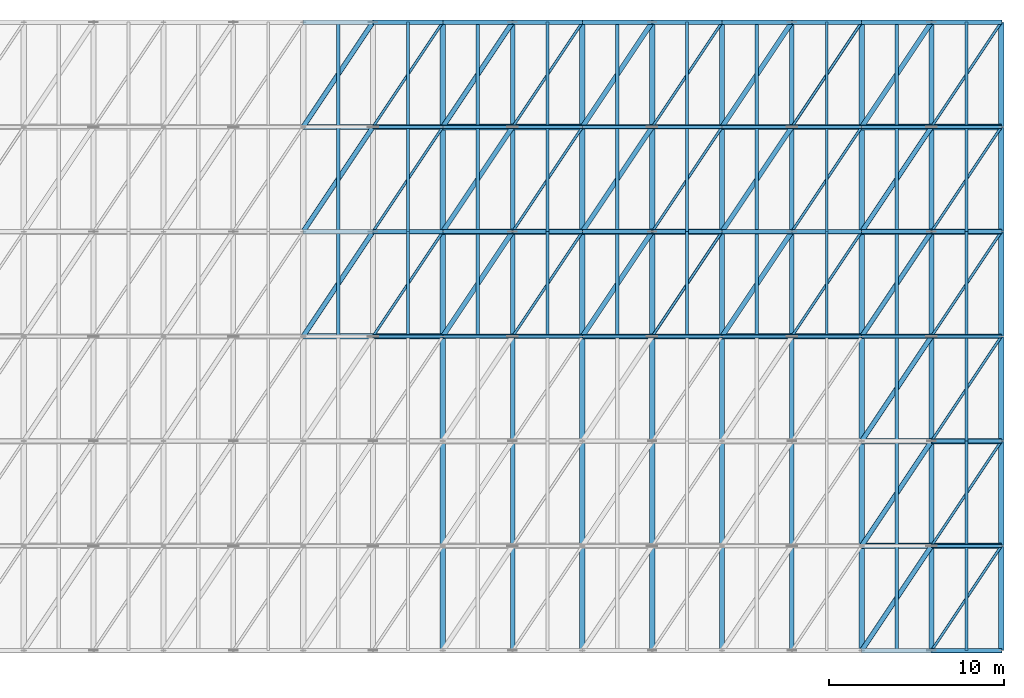
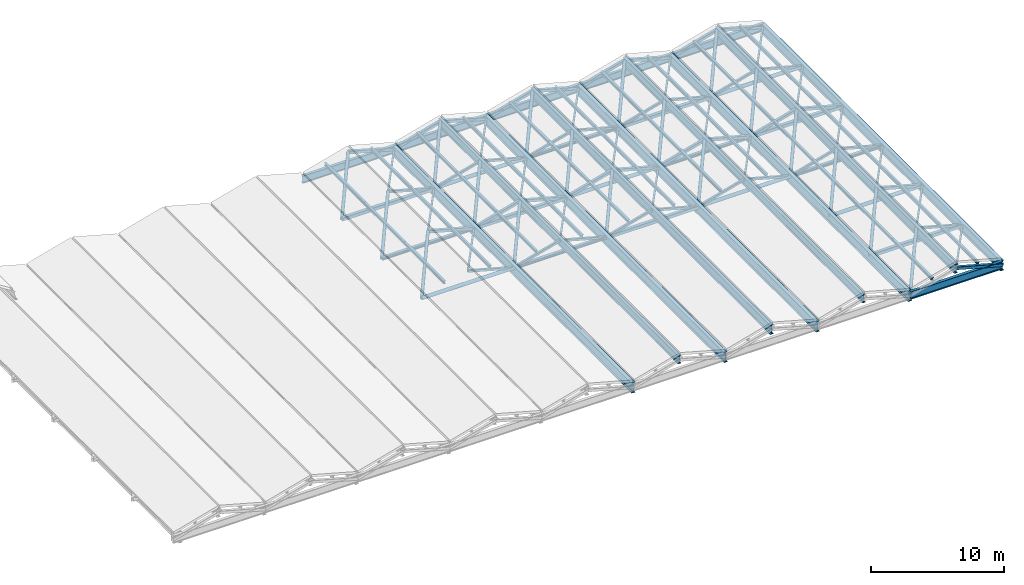
# One storey, part 6 of 27: 128 members, 15 beams.
"""IFC4 building model written with IfcOpenShell, lengths in metres."""

from ifc_helpers import new_model, si_unit, direction, frame, origin, origin_2d, place, context, subcontext, project, spatial, hollow_rectangle, hollow_circle, i_section, extrude, material, material_profile, profile_set, type_object, element, save


model = new_model("IFC4")

# Units and contexts
model_context = context("Model", 3, precision=1e-05, world=origin(), true_north=direction((0.0, 1.0)))
body_context = subcontext(model_context, "Body", "Model", "MODEL_VIEW")
ifc_project = project(units=[si_unit("LENGTHUNIT", "METRE"), si_unit("AREAUNIT", "SQUARE_METRE"), si_unit("VOLUMEUNIT", "CUBIC_METRE"), si_unit("PLANEANGLEUNIT", "RADIAN"), si_unit("MASSUNIT", "GRAM", prefix="KILO")], contexts=[model_context])

# Site, building, storey
site_placement = place(None, origin())
site = spatial("IfcSite", under=ifc_project, at=site_placement, CompositionType="ELEMENT")
building_placement = place(site_placement, origin())
building = spatial("IfcBuilding", under=site, at=building_placement, Name="Verrall Gate Interchange", CompositionType="ELEMENT")
storey_placement = place(building_placement, frame((0.0, 0.0, 32.800048828125)))
storey = spatial("IfcBuildingStorey", under=building, at=storey_placement, Name="RF", CompositionType="ELEMENT", Elevation=32.800048828125)

# Beams
ifc_material_1 = material(Name="Structural Steel CSA G40.21 350WT Cat 4", Category="steel")
ifc_material_profile_1 = material_profile(ifc_material_1, i_section(OverallWidth=0.30810546875, OverallDepth=0.927001953125, WebThickness=0.019287109375, FlangeThickness=0.03173828125, FilletRadius=0.02197265625, at=origin_2d()), Name="W920x345")
ifc_profile_set_1 = profile_set([ifc_material_profile_1], Name="Structural Steel CSA G40.21 350WT Cat 4")
beam_type_1 = type_object("IfcBeamType", Name="B-04 Structural Beam W920x345", PredefinedType="BEAM", material=ifc_profile_set_1)
for number, where, z_axis, x_axis, name in (
    (1, (76.0, 12.0, -16.921630859375), (0.0, 1.0, 0.0), (-1.0, 0.0, 0.0), "Folded-Plate Valley Girder X=76"),
    (2, (84.0, 12.0, -16.921630859375), (0.0, 1.0, 0.0), (-1.0, 0.0, 0.0), "Folded-Plate Valley Girder X=84"),
    (3, (92.0, 12.0, -16.921630859375), (0.0, 1.0, 0.0), (-1.0, 0.0, 0.0), "Folded-Plate Valley Girder X=92"),
    (4, (100.0, 12.0, -16.921630859375), (0.0, 1.0, 0.0), (-1.0, 0.0, 0.0), "Folded-Plate Valley Girder X=100"),
    (5, (108.0, 12.0, -16.921630859375), (0.0, 1.0, 0.0), (-1.0, 0.0, 0.0), "Folded-Plate Valley Girder X=108"),
):
    element("IfcBeam", number, at=place(storey_placement, frame(where, z_axis=z_axis, x_axis=x_axis)), inside=storey, type_object=beam_type_1, Name=name, PredefinedType="BEAM", context=body_context, shape_type="SweptSolid", body=[
        extrude(i_section(OverallWidth=0.30810546875, OverallDepth=0.927001953125, WebThickness=0.019287109375, FlangeThickness=0.03173828125, FilletRadius=0.02197265625, at=origin_2d()), origin(), (0.0, 0.0, 1.0), 36.0),
    ])
ifc_material_2 = material(Name="Structural Steel CSA G40.21 350WT Cat 4", Category="steel")
ifc_material_profile_2 = material_profile(ifc_material_2, i_section(OverallWidth=0.2919921875, OverallDepth=0.85498046875, WebThickness=0.018310546875, FlangeThickness=0.029296875, FilletRadius=0.02001953125, at=origin_2d()), Name="W840x299")
ifc_profile_set_2 = profile_set([ifc_material_profile_2], Name="Structural Steel CSA G40.21 350WT Cat 4")
beam_type_2 = type_object("IfcBeamType", Name="B-05 Structural Beam W840x299", PredefinedType="BEAM", material=ifc_profile_set_2)
for number, where, z_axis, x_axis, name in (
    (6, (88.0, 12.0, -15.78564453125), (0.0, 1.0, 0.0), (-1.0, 0.0, 0.0), "Folded-Plate Ridge Girder 07"),
    (7, (104.0, 12.0, -15.78564453125), (0.0, 1.0, 0.0), (-1.0, 0.0, 0.0), "Folded-Plate Ridge Girder 09"),
):
    element("IfcBeam", number, at=place(storey_placement, frame(where, z_axis=z_axis, x_axis=x_axis)), inside=storey, type_object=beam_type_2, Name=name, PredefinedType="BEAM", context=body_context, shape_type="SweptSolid", body=[
        extrude(i_section(OverallWidth=0.2919921875, OverallDepth=0.85498046875, WebThickness=0.018310546875, FlangeThickness=0.029296875, FilletRadius=0.02001953125, at=origin_2d()), origin(), (0.0, 0.0, 1.0), 36.0),
    ])
ifc_material_3 = material(Name="Structural Steel CSA G40.21 350WT Cat 4", Category="steel")
ifc_material_profile_3 = material_profile(ifc_material_3, i_section(OverallWidth=0.26611328125, OverallDepth=0.760009765625, WebThickness=0.015625, FlangeThickness=0.023681640625, FilletRadius=0.01806640625, at=origin_2d()), Name="W760x220")
ifc_profile_set_3 = profile_set([ifc_material_profile_3], Name="Structural Steel CSA G40.21 350WT Cat 4")
beam_type_3 = type_object("IfcBeamType", Name="B-06 Structural Beam W760x220", PredefinedType="BEAM", material=ifc_profile_set_3)
for number, where, z_axis, x_axis, name in (
    (8, (80.0, 12.0, -15.73828125), (0.0, 1.0, 0.0), (-1.0, 0.0, 0.0), "Folded-Plate Ridge Girder 06"),
    (9, (96.0, 12.0, -15.73828125), (0.0, 1.0, 0.0), (-1.0, 0.0, 0.0), "Folded-Plate Ridge Girder 08"),
):
    element("IfcBeam", number, at=place(storey_placement, frame(where, z_axis=z_axis, x_axis=x_axis)), inside=storey, type_object=beam_type_3, Name=name, PredefinedType="BEAM", context=body_context, shape_type="SweptSolid", body=[
        extrude(i_section(OverallWidth=0.26611328125, OverallDepth=0.760009765625, WebThickness=0.015625, FlangeThickness=0.023681640625, FilletRadius=0.01806640625, at=origin_2d()), origin(), (0.0, 0.0, 1.0), 36.0),
    ])
ifc_material_4 = material(Name="Structural Steel CSA G40.21 350WT Cat 4", Category="steel")
ifc_material_profile_4 = material_profile(ifc_material_4, i_section(OverallWidth=0.256103515625, OverallDepth=0.693115234375, WebThickness=0.01318359375, FlangeThickness=0.02001953125, FilletRadius=0.01611328125, at=origin_2d()), Name="W690x170")
ifc_profile_set_4 = profile_set([ifc_material_profile_4], Name="Structural Steel CSA G40.21 350WT Cat 4")
beam_type_4 = type_object("IfcBeamType", Name="B-07 Structural Beam W690x170", PredefinedType="BEAM", material=ifc_profile_set_4)
for number, where, z_axis, x_axis, name in (
    (10, (68.0, 48.0, -16.8046875), (1.0, 0.0, 0.0), (0.0, 1.0, 0.0), "Concourse Roof End Tie Girder 05"),
    (11, (76.0, 48.0, -16.8046875), (1.0, 0.0, 0.0), (0.0, 1.0, 0.0), "Concourse Roof End Tie Girder 06"),
    (12, (84.0, 48.0, -16.8046875), (1.0, 0.0, 0.0), (0.0, 1.0, 0.0), "Concourse Roof End Tie Girder 07"),
    (13, (92.0, 48.0, -16.8046875), (1.0, 0.0, 0.0), (0.0, 1.0, 0.0), "Concourse Roof End Tie Girder 08"),
    (14, (100.0, 12.0, -16.8046875), (1.0, 0.0, 0.0), (0.0, 1.0, 0.0), "Concourse Roof End Tie Girder 09"),
    (15, (100.0, 48.0, -16.8046875), (1.0, 0.0, 0.0), (0.0, 1.0, 0.0), "Concourse Roof End Tie Girder 09"),
):
    element("IfcBeam", number, at=place(storey_placement, frame(where, z_axis=z_axis, x_axis=x_axis)), inside=storey, type_object=beam_type_4, Name=name, PredefinedType="BEAM", context=body_context, shape_type="SweptSolid", body=[
        extrude(i_section(OverallWidth=0.256103515625, OverallDepth=0.693115234375, WebThickness=0.01318359375, FlangeThickness=0.02001953125, FilletRadius=0.01611328125, at=origin_2d()), origin(), (0.0, 0.0, 1.0), 8.0),
    ])

# Members
ifc_material_5 = material(Name="Structural Steel CSA G40.21 350WT Cat 4", Category="steel")
ifc_material_profile_5 = material_profile(ifc_material_5, hollow_circle(Radius=0.136474609375, WallThickness=0.009521484375, at=origin_2d()), Name="HSS273x9.5")
ifc_profile_set_5 = profile_set([ifc_material_profile_5], Name="Structural Steel CSA G40.21 350WT Cat 4")
member_type_1 = type_object("IfcMemberType", Name="BR-01 Diagonal Brace HSS273x9.5", PredefinedType="BRACE", material=ifc_profile_set_5)
for number, where, z_axis, x_axis, name in (
    (16, (68.0, 30.0, -16.808349609375), (0.548355855136, 0.822533782704, 0.150811247756), (-0.832050294338, 0.554700196225, 0.0), "Folded-Plate Space Truss Diagonal W 5.3"),
    (17, (68.0, 36.0, -16.808349609375), (0.548355855136, 0.822533782704, 0.150811247756), (-0.832050294338, 0.554700196225, 0.0), "Folded-Plate Space Truss Diagonal W 5.4"),
    (18, (68.0, 42.0, -16.808349609375), (0.548355855136, 0.822533782704, 0.150811247756), (-0.832050294338, 0.554700196225, 0.0), "Folded-Plate Space Truss Diagonal W 5.5"),
    (19, (76.0, 30.0, -16.808349609375), (0.548355855136, 0.822533782704, 0.150811247756), (-0.832050294338, 0.554700196225, 0.0), "Folded-Plate Space Truss Diagonal W 6.3"),
    (20, (76.0, 36.0, -16.808349609375), (0.548355855136, 0.822533782704, 0.150811247756), (-0.832050294338, 0.554700196225, 0.0), "Folded-Plate Space Truss Diagonal W 6.4"),
    (21, (76.0, 42.0, -16.808349609375), (0.548355855136, 0.822533782704, 0.150811247756), (-0.832050294338, 0.554700196225, 0.0), "Folded-Plate Space Truss Diagonal W 6.5"),
    (22, (84.0, 30.0, -16.808349609375), (0.548355855136, 0.822533782704, 0.150811247756), (-0.832050294338, 0.554700196225, 0.0), "Folded-Plate Space Truss Diagonal W 7.3"),
    (23, (84.0, 36.0, -16.808349609375), (0.548355855136, 0.822533782704, 0.150811247756), (-0.832050294338, 0.554700196225, 0.0), "Folded-Plate Space Truss Diagonal W 7.4"),
    (24, (84.0, 42.0, -16.808349609375), (0.548355855136, 0.822533782704, 0.150811247756), (-0.832050294338, 0.554700196225, 0.0), "Folded-Plate Space Truss Diagonal W 7.5"),
    (25, (92.0, 30.0, -16.808349609375), (0.548355855136, 0.822533782704, 0.150811247756), (-0.832050294338, 0.554700196225, 0.0), "Folded-Plate Space Truss Diagonal W 8.3"),
    (26, (92.0, 36.0, -16.808349609375), (0.548355855136, 0.822533782704, 0.150811247756), (-0.832050294338, 0.554700196225, 0.0), "Folded-Plate Space Truss Diagonal W 8.4"),
    (27, (92.0, 42.0, -16.808349609375), (0.548355855136, 0.822533782704, 0.150811247756), (-0.832050294338, 0.554700196225, 0.0), "Folded-Plate Space Truss Diagonal W 8.5"),
    (28, (100.0, 12.0, -16.808349609375), (0.548355855136, 0.822533782704, 0.150811247756), (-0.832050294338, 0.554700196225, 0.0), "Folded-Plate Space Truss Diagonal W 9.0"),
    (29, (100.0, 18.0, -16.808349609375), (0.548355855136, 0.822533782704, 0.150811247756), (-0.832050294338, 0.554700196225, 0.0), "Folded-Plate Space Truss Diagonal W 9.1"),
    (30, (100.0, 24.0, -16.808349609375), (0.548355855136, 0.822533782704, 0.150811247756), (-0.832050294338, 0.554700196225, 0.0), "Folded-Plate Space Truss Diagonal W 9.2"),
    (31, (100.0, 30.0, -16.808349609375), (0.548355855136, 0.822533782704, 0.150811247756), (-0.832050294338, 0.554700196225, 0.0), "Folded-Plate Space Truss Diagonal W 9.3"),
    (32, (100.0, 36.0, -16.808349609375), (0.548355855136, 0.822533782704, 0.150811247756), (-0.832050294338, 0.554700196225, 0.0), "Folded-Plate Space Truss Diagonal W 9.4"),
    (33, (100.0, 42.0, -16.808349609375), (0.548355855136, 0.822533782704, 0.150811247756), (-0.832050294338, 0.554700196225, 0.0), "Folded-Plate Space Truss Diagonal W 9.5"),
):
    element("IfcMember", number, at=place(storey_placement, frame(where, z_axis=z_axis, x_axis=x_axis)), inside=storey, type_object=member_type_1, Name=name, PredefinedType="BRACE", context=body_context, shape_type="SweptSolid", body=[
        extrude(hollow_circle(Radius=0.136474609375, WallThickness=0.009521484375, at=origin_2d()), origin(), (0.0, 0.0, 1.0), 7.29443359375),
    ])
ifc_material_6 = material(Name="Structural Steel CSA G40.21 350WT Cat 4", Category="steel")
ifc_material_profile_6 = material_profile(ifc_material_6, hollow_rectangle(XDim=0.152099609375, YDim=0.152099609375, WallThickness=0.008056640625, InnerFilletRadius=0.008056640625, OuterFilletRadius=0.015869140625, at=origin_2d()), Name="HSS152x152x8.0")
ifc_profile_set_6 = profile_set([ifc_material_profile_6], Name="Structural Steel CSA G40.21 350WT Cat 4")
member_type_2 = type_object("IfcMemberType", Name="BR-04 Diagonal Brace HSS152x152x8.0", PredefinedType="BRACE", material=ifc_profile_set_6)
for number, where, z_axis, x_axis, name in (
    (34, (72.0, 30.0, -15.708251953125), (0.548355855136, 0.822533782704, -0.150811247756), (-0.832050294338, 0.554700196225, 0.0), "Folded-Plate Space Truss Diagonal E 5.3"),
    (35, (72.0, 36.0, -15.708251953125), (0.548355855136, 0.822533782704, -0.150811247756), (-0.832050294338, 0.554700196225, 0.0), "Folded-Plate Space Truss Diagonal E 5.4"),
    (36, (72.0, 42.0, -15.708251953125), (0.548355855136, 0.822533782704, -0.150811247756), (-0.832050294338, 0.554700196225, 0.0), "Folded-Plate Space Truss Diagonal E 5.5"),
    (37, (80.0, 30.0, -15.708251953125), (0.548355855136, 0.822533782704, -0.150811247756), (-0.832050294338, 0.554700196225, 0.0), "Folded-Plate Space Truss Diagonal E 6.3"),
    (38, (80.0, 36.0, -15.708251953125), (0.548355855136, 0.822533782704, -0.150811247756), (-0.832050294338, 0.554700196225, 0.0), "Folded-Plate Space Truss Diagonal E 6.4"),
    (39, (80.0, 42.0, -15.708251953125), (0.548355855136, 0.822533782704, -0.150811247756), (-0.832050294338, 0.554700196225, 0.0), "Folded-Plate Space Truss Diagonal E 6.5"),
    (40, (88.0, 30.0, -15.708251953125), (0.548355855136, 0.822533782704, -0.150811247756), (-0.832050294338, 0.554700196225, 0.0), "Folded-Plate Space Truss Diagonal E 7.3"),
    (41, (88.0, 36.0, -15.708251953125), (0.548355855136, 0.822533782704, -0.150811247756), (-0.832050294338, 0.554700196225, 0.0), "Folded-Plate Space Truss Diagonal E 7.4"),
    (42, (88.0, 42.0, -15.708251953125), (0.548355855136, 0.822533782704, -0.150811247756), (-0.832050294338, 0.554700196225, 0.0), "Folded-Plate Space Truss Diagonal E 7.5"),
    (43, (96.0, 30.0, -15.708251953125), (0.548355855136, 0.822533782704, -0.150811247756), (-0.832050294338, 0.554700196225, 0.0), "Folded-Plate Space Truss Diagonal E 8.3"),
    (44, (96.0, 36.0, -15.708251953125), (0.548355855136, 0.822533782704, -0.150811247756), (-0.832050294338, 0.554700196225, 0.0), "Folded-Plate Space Truss Diagonal E 8.4"),
    (45, (96.0, 42.0, -15.708251953125), (0.548355855136, 0.822533782704, -0.150811247756), (-0.832050294338, 0.554700196225, 0.0), "Folded-Plate Space Truss Diagonal E 8.5"),
    (46, (104.0, 12.0, -15.708251953125), (0.548355855136, 0.822533782704, -0.150811247756), (-0.832050294338, 0.554700196225, 0.0), "Folded-Plate Space Truss Diagonal E 9.0"),
    (47, (104.0, 18.0, -15.708251953125), (0.548355855136, 0.822533782704, -0.150811247756), (-0.832050294338, 0.554700196225, 0.0), "Folded-Plate Space Truss Diagonal E 9.1"),
    (48, (104.0, 24.0, -15.708251953125), (0.548355855136, 0.822533782704, -0.150811247756), (-0.832050294338, 0.554700196225, 0.0), "Folded-Plate Space Truss Diagonal E 9.2"),
    (49, (104.0, 30.0, -15.708251953125), (0.548355855136, 0.822533782704, -0.150811247756), (-0.832050294338, 0.554700196225, 0.0), "Folded-Plate Space Truss Diagonal E 9.3"),
    (50, (104.0, 36.0, -15.708251953125), (0.548355855136, 0.822533782704, -0.150811247756), (-0.832050294338, 0.554700196225, 0.0), "Folded-Plate Space Truss Diagonal E 9.4"),
    (51, (104.0, 42.0, -15.708251953125), (0.548355855136, 0.822533782704, -0.150811247756), (-0.832050294338, 0.554700196225, 0.0), "Folded-Plate Space Truss Diagonal E 9.5"),
):
    element("IfcMember", number, at=place(storey_placement, frame(where, z_axis=z_axis, x_axis=x_axis)), inside=storey, type_object=member_type_2, Name=name, PredefinedType="BRACE", context=body_context, shape_type="SweptSolid", body=[
        extrude(hollow_rectangle(XDim=0.152099609375, YDim=0.152099609375, WallThickness=0.008056640625, InnerFilletRadius=0.008056640625, OuterFilletRadius=0.015869140625, at=origin_2d()), origin(), (0.0, 0.0, 1.0), 7.29443359375),
    ])
ifc_material_7 = material(Name="Structural Steel CSA G40.21 350WT Cat 4", Category="steel")
ifc_material_profile_7 = material_profile(ifc_material_7, hollow_rectangle(XDim=0.304931640625, YDim=0.304931640625, WallThickness=0.0126953125, InnerFilletRadius=0.0126953125, OuterFilletRadius=0.025390625, at=origin_2d()), Name="HSS305x305x13")
ifc_profile_set_7 = profile_set([ifc_material_profile_7], Name="Structural Steel CSA G40.21 350WT Cat 4")
member_type_3 = type_object("IfcMemberType", Name="CH-01 Truss Chord HSS305x305x13", PredefinedType="CHORD", material=ifc_profile_set_7)
for number, where, z_axis, x_axis, name in (
    (52, (68.0, 42.0, -16.808349609375), (1.0, 0.0, 0.0), (0.0, 1.0, 0.0), "Concourse Fold Bottom Chord 5.5"),
    (53, (76.0, 36.0, -16.808349609375), (1.0, 0.0, 0.0), (0.0, 1.0, 0.0), "Concourse Fold Bottom Chord 6.4"),
    (54, (84.0, 30.0, -16.808349609375), (1.0, 0.0, 0.0), (0.0, 1.0, 0.0), "Concourse Fold Bottom Chord 7.3"),
    (55, (92.0, 42.0, -16.808349609375), (1.0, 0.0, 0.0), (0.0, 1.0, 0.0), "Concourse Fold Bottom Chord 8.5"),
    (56, (100.0, 18.0, -16.808349609375), (1.0, 0.0, 0.0), (0.0, 1.0, 0.0), "Concourse Fold Bottom Chord 9.1"),
    (57, (100.0, 36.0, -16.808349609375), (1.0, 0.0, 0.0), (0.0, 1.0, 0.0), "Concourse Fold Bottom Chord 9.4"),
):
    element("IfcMember", number, at=place(storey_placement, frame(where, z_axis=z_axis, x_axis=x_axis)), inside=storey, type_object=member_type_3, Name=name, PredefinedType="CHORD", context=body_context, shape_type="SweptSolid", body=[
        extrude(hollow_rectangle(XDim=0.304931640625, YDim=0.304931640625, WallThickness=0.0126953125, InnerFilletRadius=0.0126953125, OuterFilletRadius=0.025390625, at=origin_2d()), origin(), (0.0, 0.0, 1.0), 8.0),
    ])
ifc_material_8 = material(Name="Structural Steel CSA G40.21 350WT Cat 4", Category="steel")
ifc_material_profile_8 = material_profile(ifc_material_8, hollow_circle(Radius=0.161865234375, WallThickness=0.0126953125, at=origin_2d()), Name="HSS324x13")
ifc_profile_set_8 = profile_set([ifc_material_profile_8], Name="Structural Steel CSA G40.21 350WT Cat 4")
member_type_4 = type_object("IfcMemberType", Name="CH-02 Truss Chord HSS324x13", PredefinedType="CHORD", material=ifc_profile_set_8)
for number, where, z_axis, x_axis, name in (
    (58, (68.0, 30.0, -16.808349609375), (1.0, 0.0, 0.0), (0.0, 1.0, 0.0), "Concourse Fold Bottom Chord 5.3"),
    (59, (76.0, 42.0, -16.808349609375), (1.0, 0.0, 0.0), (0.0, 1.0, 0.0), "Concourse Fold Bottom Chord 6.5"),
    (60, (84.0, 36.0, -16.808349609375), (1.0, 0.0, 0.0), (0.0, 1.0, 0.0), "Concourse Fold Bottom Chord 7.4"),
    (61, (92.0, 30.0, -16.808349609375), (1.0, 0.0, 0.0), (0.0, 1.0, 0.0), "Concourse Fold Bottom Chord 8.3"),
    (62, (100.0, 24.0, -16.808349609375), (1.0, 0.0, 0.0), (0.0, 1.0, 0.0), "Concourse Fold Bottom Chord 9.2"),
    (63, (100.0, 42.0, -16.808349609375), (1.0, 0.0, 0.0), (0.0, 1.0, 0.0), "Concourse Fold Bottom Chord 9.5"),
):
    element("IfcMember", number, at=place(storey_placement, frame(where, z_axis=z_axis, x_axis=x_axis)), inside=storey, type_object=member_type_4, Name=name, PredefinedType="CHORD", context=body_context, shape_type="SweptSolid", body=[
        extrude(hollow_circle(Radius=0.161865234375, WallThickness=0.0126953125, at=origin_2d()), origin(), (0.0, 0.0, 1.0), 8.0),
    ])
ifc_material_9 = material(Name="Structural Steel CSA G40.21 350WT Cat 4", Category="steel")
ifc_material_profile_9 = material_profile(ifc_material_9, i_section(OverallWidth=0.25390625, OverallDepth=0.2529296875, WebThickness=0.008544921875, FlangeThickness=0.01416015625, FilletRadius=0.011962890625, at=origin_2d()), Name="W250x73")
ifc_profile_set_9 = profile_set([ifc_material_profile_9], Name="Structural Steel CSA G40.21 350WT Cat 4")
member_type_5 = type_object("IfcMemberType", Name="CH-03 Truss Chord W250x73", PredefinedType="CHORD", material=ifc_profile_set_9)
for number, where, z_axis, x_axis, name in (
    (64, (68.0, 36.0, -16.808349609375), (1.0, 0.0, 0.0), (0.0, 1.0, 0.0), "Concourse Fold Bottom Chord 5.4"),
    (65, (76.0, 30.0, -16.808349609375), (1.0, 0.0, 0.0), (0.0, 1.0, 0.0), "Concourse Fold Bottom Chord 6.3"),
    (66, (84.0, 42.0, -16.808349609375), (1.0, 0.0, 0.0), (0.0, 1.0, 0.0), "Concourse Fold Bottom Chord 7.5"),
    (67, (92.0, 36.0, -16.808349609375), (1.0, 0.0, 0.0), (0.0, 1.0, 0.0), "Concourse Fold Bottom Chord 8.4"),
    (68, (100.0, 30.0, -16.808349609375), (1.0, 0.0, 0.0), (0.0, 1.0, 0.0), "Concourse Fold Bottom Chord 9.3"),
):
    element("IfcMember", number, at=place(storey_placement, frame(where, z_axis=z_axis, x_axis=x_axis)), inside=storey, type_object=member_type_5, Name=name, PredefinedType="CHORD", context=body_context, shape_type="SweptSolid", body=[
        extrude(i_section(OverallWidth=0.25390625, OverallDepth=0.2529296875, WebThickness=0.008544921875, FlangeThickness=0.01416015625, FilletRadius=0.011962890625, at=origin_2d()), origin(), (0.0, 0.0, 1.0), 8.0),
    ])
ifc_material_10 = material(Name="Structural Steel CSA G40.21 350WT Cat 4", Category="steel")
ifc_material_profile_10 = material_profile(ifc_material_10, i_section(OverallWidth=0.201904296875, OverallDepth=0.2470703125, WebThickness=0.00732421875, FlangeThickness=0.010986328125, FilletRadius=0.010986328125, at=origin_2d()), Name="W250x49")
ifc_profile_set_10 = profile_set([ifc_material_profile_10], Name="Structural Steel CSA G40.21 350WT Cat 4")
member_type_6 = type_object("IfcMemberType", Name="PR-01 Roof Purlin W250x49", PredefinedType="PURLIN", material=ifc_profile_set_10)
for number, where, z_axis, x_axis, name in (
    (69, (70.0, 30.0, -16.068359375), (0.0, 1.0, 0.0), (-1.0, 0.0, 0.0), "Concourse Roof Purlin W 5.3"),
    (70, (70.0, 36.0, -16.068359375), (0.0, 1.0, 0.0), (-1.0, 0.0, 0.0), "Concourse Roof Purlin W 5.4"),
    (71, (70.0, 42.0, -16.068359375), (0.0, 1.0, 0.0), (-1.0, 0.0, 0.0), "Concourse Roof Purlin W 5.5"),
    (72, (78.0, 30.0, -16.068359375), (0.0, 1.0, 0.0), (-1.0, 0.0, 0.0), "Concourse Roof Purlin W 6.3"),
    (73, (78.0, 36.0, -16.068359375), (0.0, 1.0, 0.0), (-1.0, 0.0, 0.0), "Concourse Roof Purlin W 6.4"),
    (74, (78.0, 42.0, -16.068359375), (0.0, 1.0, 0.0), (-1.0, 0.0, 0.0), "Concourse Roof Purlin W 6.5"),
    (75, (86.0, 30.0, -16.068359375), (0.0, 1.0, 0.0), (-1.0, 0.0, 0.0), "Concourse Roof Purlin W 7.3"),
    (76, (86.0, 36.0, -16.068359375), (0.0, 1.0, 0.0), (-1.0, 0.0, 0.0), "Concourse Roof Purlin W 7.4"),
    (77, (86.0, 42.0, -16.068359375), (0.0, 1.0, 0.0), (-1.0, 0.0, 0.0), "Concourse Roof Purlin W 7.5"),
    (78, (94.0, 30.0, -16.068359375), (0.0, 1.0, 0.0), (-1.0, 0.0, 0.0), "Concourse Roof Purlin W 8.3"),
    (79, (94.0, 36.0, -16.068359375), (0.0, 1.0, 0.0), (-1.0, 0.0, 0.0), "Concourse Roof Purlin W 8.4"),
    (80, (94.0, 42.0, -16.068359375), (0.0, 1.0, 0.0), (-1.0, 0.0, 0.0), "Concourse Roof Purlin W 8.5"),
    (81, (102.0, 12.0, -16.068359375), (0.0, 1.0, 0.0), (-1.0, 0.0, 0.0), "Concourse Roof Purlin W 9.0"),
    (82, (102.0, 18.0, -16.068359375), (0.0, 1.0, 0.0), (-1.0, 0.0, 0.0), "Concourse Roof Purlin W 9.1"),
    (83, (102.0, 24.0, -16.068359375), (0.0, 1.0, 0.0), (-1.0, 0.0, 0.0), "Concourse Roof Purlin W 9.2"),
    (84, (102.0, 30.0, -16.068359375), (0.0, 1.0, 0.0), (-1.0, 0.0, 0.0), "Concourse Roof Purlin W 9.3"),
    (85, (102.0, 36.0, -16.068359375), (0.0, 1.0, 0.0), (-1.0, 0.0, 0.0), "Concourse Roof Purlin W 9.4"),
    (86, (102.0, 42.0, -16.068359375), (0.0, 1.0, 0.0), (-1.0, 0.0, 0.0), "Concourse Roof Purlin W 9.5"),
):
    element("IfcMember", number, at=place(storey_placement, frame(where, z_axis=z_axis, x_axis=x_axis)), inside=storey, type_object=member_type_6, Name=name, PredefinedType="PURLIN", context=body_context, shape_type="SweptSolid", body=[
        extrude(i_section(OverallWidth=0.201904296875, OverallDepth=0.2470703125, WebThickness=0.00732421875, FlangeThickness=0.010986328125, FilletRadius=0.010986328125, at=origin_2d()), origin(), (0.0, 0.0, 1.0), 6.0),
    ])
ifc_material_11 = material(Name="Structural Steel CSA G40.21 350WT Cat 4", Category="steel")
ifc_material_profile_11 = material_profile(ifc_material_11, i_section(OverallWidth=0.1650390625, OverallDepth=0.31005859375, WebThickness=0.005859375, FlangeThickness=0.009765625, FilletRadius=0.010009765625, at=origin_2d()), Name="W310x39")
ifc_profile_set_11 = profile_set([ifc_material_profile_11], Name="Structural Steel CSA G40.21 350WT Cat 4")
member_type_7 = type_object("IfcMemberType", Name="PR-03 Roof Purlin W310x39", PredefinedType="PURLIN", material=ifc_profile_set_11)
for number, where, z_axis, x_axis, name in (
    (87, (74.0, 30.0, -16.068359375), (0.0, 1.0, 0.0), (-1.0, 0.0, 0.0), "Concourse Roof Purlin E 5.3"),
    (88, (74.0, 36.0, -16.068359375), (0.0, 1.0, 0.0), (-1.0, 0.0, 0.0), "Concourse Roof Purlin E 5.4"),
    (89, (74.0, 42.0, -16.068359375), (0.0, 1.0, 0.0), (-1.0, 0.0, 0.0), "Concourse Roof Purlin E 5.5"),
    (90, (82.0, 30.0, -16.068359375), (0.0, 1.0, 0.0), (-1.0, 0.0, 0.0), "Concourse Roof Purlin E 6.3"),
    (91, (82.0, 36.0, -16.068359375), (0.0, 1.0, 0.0), (-1.0, 0.0, 0.0), "Concourse Roof Purlin E 6.4"),
    (92, (82.0, 42.0, -16.068359375), (0.0, 1.0, 0.0), (-1.0, 0.0, 0.0), "Concourse Roof Purlin E 6.5"),
    (93, (90.0, 30.0, -16.068359375), (0.0, 1.0, 0.0), (-1.0, 0.0, 0.0), "Concourse Roof Purlin E 7.3"),
    (94, (90.0, 36.0, -16.068359375), (0.0, 1.0, 0.0), (-1.0, 0.0, 0.0), "Concourse Roof Purlin E 7.4"),
    (95, (90.0, 42.0, -16.068359375), (0.0, 1.0, 0.0), (-1.0, 0.0, 0.0), "Concourse Roof Purlin E 7.5"),
    (96, (98.0, 30.0, -16.068359375), (0.0, 1.0, 0.0), (-1.0, 0.0, 0.0), "Concourse Roof Purlin E 8.3"),
    (97, (98.0, 36.0, -16.068359375), (0.0, 1.0, 0.0), (-1.0, 0.0, 0.0), "Concourse Roof Purlin E 8.4"),
    (98, (98.0, 42.0, -16.068359375), (0.0, 1.0, 0.0), (-1.0, 0.0, 0.0), "Concourse Roof Purlin E 8.5"),
    (99, (106.0, 12.0, -16.068359375), (0.0, 1.0, 0.0), (-1.0, 0.0, 0.0), "Concourse Roof Purlin E 9.0"),
    (100, (106.0, 18.0, -16.068359375), (0.0, 1.0, 0.0), (-1.0, 0.0, 0.0), "Concourse Roof Purlin E 9.1"),
    (101, (106.0, 24.0, -16.068359375), (0.0, 1.0, 0.0), (-1.0, 0.0, 0.0), "Concourse Roof Purlin E 9.2"),
    (102, (106.0, 30.0, -16.068359375), (0.0, 1.0, 0.0), (-1.0, 0.0, 0.0), "Concourse Roof Purlin E 9.3"),
    (103, (106.0, 36.0, -16.068359375), (0.0, 1.0, 0.0), (-1.0, 0.0, 0.0), "Concourse Roof Purlin E 9.4"),
    (104, (106.0, 42.0, -16.068359375), (0.0, 1.0, 0.0), (-1.0, 0.0, 0.0), "Concourse Roof Purlin E 9.5"),
):
    element("IfcMember", number, at=place(storey_placement, frame(where, z_axis=z_axis, x_axis=x_axis)), inside=storey, type_object=member_type_7, Name=name, PredefinedType="PURLIN", context=body_context, shape_type="SweptSolid", body=[
        extrude(i_section(OverallWidth=0.1650390625, OverallDepth=0.31005859375, WebThickness=0.005859375, FlangeThickness=0.009765625, FilletRadius=0.010009765625, at=origin_2d()), origin(), (0.0, 0.0, 1.0), 6.0),
    ])
ifc_material_12 = material(Name="Structural Steel CSA G40.21 350WT Cat 4", Category="steel")
ifc_material_profile_12 = material_profile(ifc_material_12, hollow_rectangle(XDim=0.25390625, YDim=0.25390625, WallThickness=0.009521484375, InnerFilletRadius=0.009521484375, OuterFilletRadius=0.01904296875, at=origin_2d()), Name="HSS254x254x9.5")
ifc_profile_set_12 = profile_set([ifc_material_profile_12], Name="Structural Steel CSA G40.21 350WT Cat 4")
member_type_8 = type_object("IfcMemberType", Name="RF-01 Folded Roof Rafter HSS254x254x9.5", PredefinedType="RAFTER", material=ifc_profile_set_12)
for number, where, z_axis, x_axis, name in (
    (105, (72.0, 36.0, -15.708251953125), (0.964199374188, 0.0, -0.265178367925), (0.0, 1.0, 0.0), "Concourse Fold Rafter E 5.4"),
    (106, (72.0, 48.0, -15.708251953125), (0.964199374188, 0.0, -0.265178367925), (0.0, 1.0, 0.0), "Concourse Fold Rafter E 5.6"),
    (107, (76.0, 36.0, -16.808349609375), (0.964199374188, 0.0, 0.265178367925), (0.0, 1.0, 0.0), "Concourse Fold Rafter W 6.4"),
    (108, (80.0, 36.0, -15.708251953125), (0.964199374188, 0.0, -0.265178367925), (0.0, 1.0, 0.0), "Concourse Fold Rafter E 6.4"),
    (109, (76.0, 48.0, -16.808349609375), (0.964199374188, 0.0, 0.265178367925), (0.0, 1.0, 0.0), "Concourse Fold Rafter W 6.6"),
    (110, (80.0, 48.0, -15.708251953125), (0.964199374188, 0.0, -0.265178367925), (0.0, 1.0, 0.0), "Concourse Fold Rafter E 6.6"),
    (111, (84.0, 36.0, -16.808349609375), (0.964199374188, 0.0, 0.265178367925), (0.0, 1.0, 0.0), "Concourse Fold Rafter W 7.4"),
    (112, (88.0, 36.0, -15.708251953125), (0.964199374188, 0.0, -0.265178367925), (0.0, 1.0, 0.0), "Concourse Fold Rafter E 7.4"),
    (113, (84.0, 48.0, -16.808349609375), (0.964199374188, 0.0, 0.265178367925), (0.0, 1.0, 0.0), "Concourse Fold Rafter W 7.6"),
    (114, (88.0, 48.0, -15.708251953125), (0.964199374188, 0.0, -0.265178367925), (0.0, 1.0, 0.0), "Concourse Fold Rafter E 7.6"),
    (115, (92.0, 36.0, -16.808349609375), (0.964199374188, 0.0, 0.265178367925), (0.0, 1.0, 0.0), "Concourse Fold Rafter W 8.4"),
    (116, (96.0, 36.0, -15.708251953125), (0.964199374188, 0.0, -0.265178367925), (0.0, 1.0, 0.0), "Concourse Fold Rafter E 8.4"),
    (117, (92.0, 48.0, -16.808349609375), (0.964199374188, 0.0, 0.265178367925), (0.0, 1.0, 0.0), "Concourse Fold Rafter W 8.6"),
    (118, (96.0, 48.0, -15.708251953125), (0.964199374188, 0.0, -0.265178367925), (0.0, 1.0, 0.0), "Concourse Fold Rafter E 8.6"),
    (119, (104.0, 12.0, -15.708251953125), (0.964199374188, 0.0, -0.265178367925), (0.0, 1.0, 0.0), "Concourse Fold Rafter E 9.0"),
    (120, (104.0, 24.0, -15.708251953125), (0.964199374188, 0.0, -0.265178367925), (0.0, 1.0, 0.0), "Concourse Fold Rafter E 9.2"),
    (121, (100.0, 36.0, -16.808349609375), (0.964199374188, 0.0, 0.265178367925), (0.0, 1.0, 0.0), "Concourse Fold Rafter W 9.4"),
    (122, (104.0, 36.0, -15.708251953125), (0.964199374188, 0.0, -0.265178367925), (0.0, 1.0, 0.0), "Concourse Fold Rafter E 9.4"),
    (123, (100.0, 48.0, -16.808349609375), (0.964199374188, 0.0, 0.265178367925), (0.0, 1.0, 0.0), "Concourse Fold Rafter W 9.6"),
    (124, (104.0, 48.0, -15.708251953125), (0.964199374188, 0.0, -0.265178367925), (0.0, 1.0, 0.0), "Concourse Fold Rafter E 9.6"),
):
    element("IfcMember", number, at=place(storey_placement, frame(where, z_axis=z_axis, x_axis=x_axis)), inside=storey, type_object=member_type_8, Name=name, PredefinedType="RAFTER", context=body_context, shape_type="SweptSolid", body=[
        extrude(hollow_rectangle(XDim=0.25390625, YDim=0.25390625, WallThickness=0.009521484375, InnerFilletRadius=0.009521484375, OuterFilletRadius=0.01904296875, at=origin_2d()), origin(), (0.0, 0.0, 1.0), 4.1484375),
    ])
ifc_material_13 = material(Name="Structural Steel CSA G40.21 350WT Cat 4", Category="steel")
ifc_material_profile_13 = material_profile(ifc_material_13, hollow_rectangle(XDim=0.202880859375, YDim=0.202880859375, WallThickness=0.009521484375, InnerFilletRadius=0.009521484375, OuterFilletRadius=0.01904296875, at=origin_2d()), Name="HSS203x203x9.5")
ifc_profile_set_13 = profile_set([ifc_material_profile_13], Name="Structural Steel CSA G40.21 350WT Cat 4")
member_type_9 = type_object("IfcMemberType", Name="RF-02 Folded Roof Rafter HSS203x203x9.5", PredefinedType="RAFTER", material=ifc_profile_set_13)
for number, where, z_axis, x_axis, name in (
    (125, (72.0, 30.0, -15.708251953125), (0.964199374188, 0.0, -0.265178367925), (0.0, 1.0, 0.0), "Concourse Fold Rafter E 5.3"),
    (126, (72.0, 42.0, -15.708251953125), (0.964199374188, 0.0, -0.265178367925), (0.0, 1.0, 0.0), "Concourse Fold Rafter E 5.5"),
    (127, (76.0, 30.0, -16.808349609375), (0.964199374188, 0.0, 0.265178367925), (0.0, 1.0, 0.0), "Concourse Fold Rafter W 6.3"),
    (128, (80.0, 30.0, -15.708251953125), (0.964199374188, 0.0, -0.265178367925), (0.0, 1.0, 0.0), "Concourse Fold Rafter E 6.3"),
    (129, (76.0, 42.0, -16.808349609375), (0.964199374188, 0.0, 0.265178367925), (0.0, 1.0, 0.0), "Concourse Fold Rafter W 6.5"),
    (130, (80.0, 42.0, -15.708251953125), (0.964199374188, 0.0, -0.265178367925), (0.0, 1.0, 0.0), "Concourse Fold Rafter E 6.5"),
    (131, (84.0, 30.0, -16.808349609375), (0.964199374188, 0.0, 0.265178367925), (0.0, 1.0, 0.0), "Concourse Fold Rafter W 7.3"),
    (132, (88.0, 30.0, -15.708251953125), (0.964199374188, 0.0, -0.265178367925), (0.0, 1.0, 0.0), "Concourse Fold Rafter E 7.3"),
    (133, (84.0, 42.0, -16.808349609375), (0.964199374188, 0.0, 0.265178367925), (0.0, 1.0, 0.0), "Concourse Fold Rafter W 7.5"),
    (134, (88.0, 42.0, -15.708251953125), (0.964199374188, 0.0, -0.265178367925), (0.0, 1.0, 0.0), "Concourse Fold Rafter E 7.5"),
    (135, (92.0, 30.0, -16.808349609375), (0.964199374188, 0.0, 0.265178367925), (0.0, 1.0, 0.0), "Concourse Fold Rafter W 8.3"),
    (136, (96.0, 30.0, -15.708251953125), (0.964199374188, 0.0, -0.265178367925), (0.0, 1.0, 0.0), "Concourse Fold Rafter E 8.3"),
    (137, (92.0, 42.0, -16.808349609375), (0.964199374188, 0.0, 0.265178367925), (0.0, 1.0, 0.0), "Concourse Fold Rafter W 8.5"),
    (138, (96.0, 42.0, -15.708251953125), (0.964199374188, 0.0, -0.265178367925), (0.0, 1.0, 0.0), "Concourse Fold Rafter E 8.5"),
    (139, (104.0, 18.0, -15.708251953125), (0.964199374188, 0.0, -0.265178367925), (0.0, 1.0, 0.0), "Concourse Fold Rafter E 9.1"),
    (140, (100.0, 30.0, -16.808349609375), (0.964199374188, 0.0, 0.265178367925), (0.0, 1.0, 0.0), "Concourse Fold Rafter W 9.3"),
    (141, (104.0, 30.0, -15.708251953125), (0.964199374188, 0.0, -0.265178367925), (0.0, 1.0, 0.0), "Concourse Fold Rafter E 9.3"),
    (142, (100.0, 42.0, -16.808349609375), (0.964199374188, 0.0, 0.265178367925), (0.0, 1.0, 0.0), "Concourse Fold Rafter W 9.5"),
    (143, (104.0, 42.0, -15.708251953125), (0.964199374188, 0.0, -0.265178367925), (0.0, 1.0, 0.0), "Concourse Fold Rafter E 9.5"),
):
    element("IfcMember", number, at=place(storey_placement, frame(where, z_axis=z_axis, x_axis=x_axis)), inside=storey, type_object=member_type_9, Name=name, PredefinedType="RAFTER", context=body_context, shape_type="SweptSolid", body=[
        extrude(hollow_rectangle(XDim=0.202880859375, YDim=0.202880859375, WallThickness=0.009521484375, InnerFilletRadius=0.009521484375, OuterFilletRadius=0.01904296875, at=origin_2d()), origin(), (0.0, 0.0, 1.0), 4.1484375),
    ])

save(model, "model.ifc")
